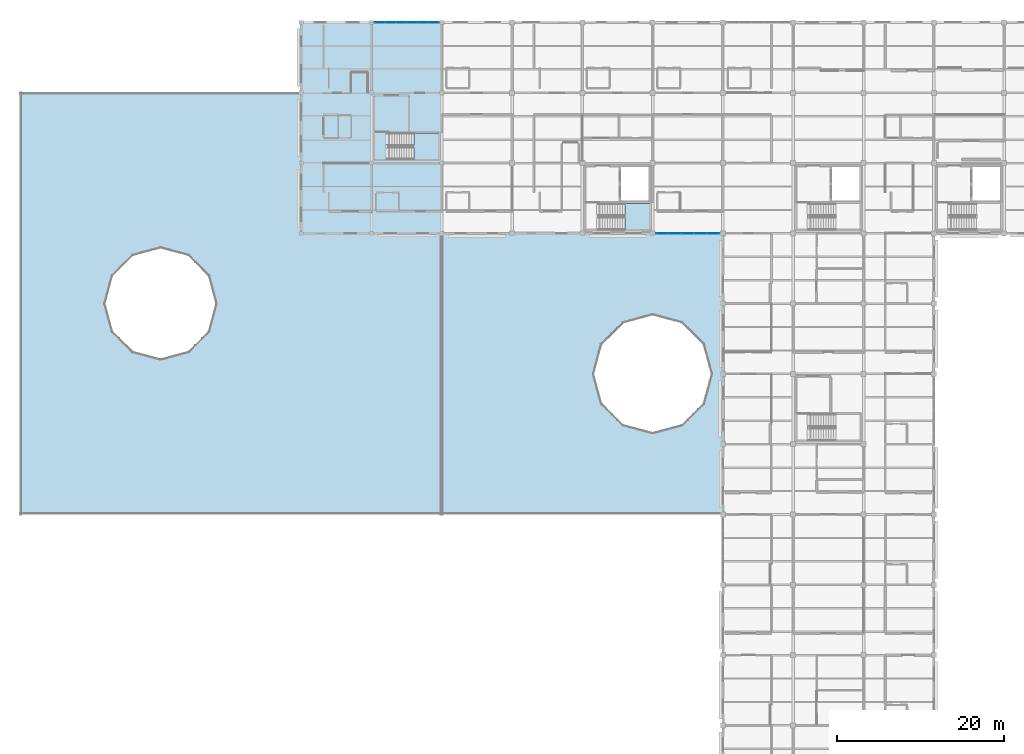
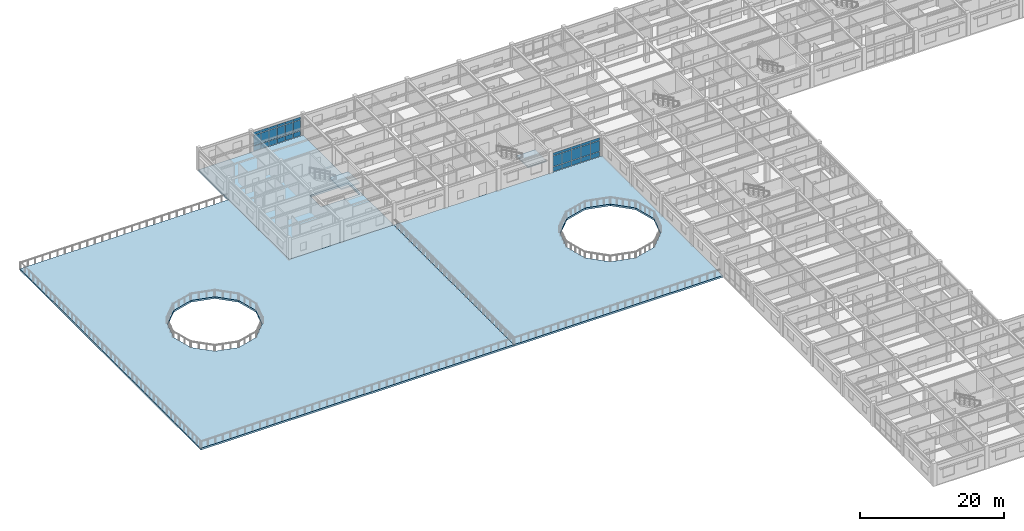
# One storey, part 46 of 86: 33 plates, 5 slabs, 4 elements without a shape of their own.
"""IFC4 building model written with IfcOpenShell, lengths in metres."""

from ifc_helpers import new_model, si_unit, direction, frame, origin, origin_2d, place, context, subcontext, project, spatial, polyline, rectangle, outline, extrude, material, layer, layer_set, type_object, element, aggregate, save


model = new_model("IFC4")

# Units and contexts
model_context = context("Model", 3, precision=1e-05, world=origin(), true_north=direction((0.0, 1.0)))
body_context = subcontext(model_context, "Body", "Model", "MODEL_VIEW")
ifc_project = project(units=[si_unit("LENGTHUNIT", "METRE"), si_unit("AREAUNIT", "SQUARE_METRE"), si_unit("VOLUMEUNIT", "CUBIC_METRE"), si_unit("PLANEANGLEUNIT", "RADIAN"), si_unit("MASSUNIT", "GRAM", prefix="KILO")], contexts=[model_context])

# Site, building, storey
site_placement = place(None, origin())
site = spatial("IfcSite", under=ifc_project, at=site_placement, CompositionType="ELEMENT")
building_placement = place(site_placement, origin())
building = spatial("IfcBuilding", under=site, at=building_placement, Name="Bramfleet General Hospital", CompositionType="ELEMENT")
storey_placement = place(building_placement, frame((0.0, 0.0, 18.60009765625)))
storey = spatial("IfcBuildingStorey", under=building, at=storey_placement, Name="L04", CompositionType="ELEMENT", Elevation=18.60009765625)

# Curtain wall, plates
ifc_material_1 = material(Name="Anodised aluminium and low-E triple glazing", Category="aluminium")
ifc_layer_1 = layer(ifc_material_1, 0.179931640625, Name="CWT-CW-07")
ifc_layer_set_1 = layer_set([ifc_layer_1], Name="Anodised aluminium and low-E triple glazing")
curtain_wall_type_1 = type_object("IfcCurtainWallType", Name="CWT-CW-07", PredefinedType="USERDEFINED", material=ifc_layer_set_1)
curtain_wall_1_placement = place(storey_placement, origin())
curtain_wall_1 = element("IfcCurtainWall", 1, at=curtain_wall_1_placement, inside=storey, type_object=curtain_wall_type_1, Name="L04 Curtain Wall 187", ObjectType="Unitised curtain wall", PredefinedType="USERDEFINED")
ifc_material_2 = material(Name="Low-E laminated safety glass", Category="glass")
ifc_layer_2 = layer(ifc_material_2, 0.035888671875, Name="CWP-GLZ-3")
ifc_layer_set_2 = layer_set([ifc_layer_2], Name="Low-E laminated safety glass")
plate_type = type_object("IfcPlateType", Name="CWP-GLZ-3", PredefinedType="CURTAIN_PANEL", material=ifc_layer_set_2)
plate_1_placement = place(storey_placement, frame((51.388427734375, 117.60009765625, 0.06494140625), z_axis=(0.0, 0.0, 1.0), x_axis=(1.0, 0.0, 0.0)))
plate_1 = element("IfcPlate", 2, at=plate_1_placement, type_object=plate_type, Name="CW-07 panel 1.1", PredefinedType="CURTAIN_PANEL", context=body_context, shape_type="SweptSolid", body=[
    extrude(rectangle(XDim=1.186767578125, YDim=0.035888671875, at=origin_2d()), origin(), (0.0, 0.0, 1.0), 0.802490234375),
])
plate_2_placement = place(storey_placement, frame((51.388427734375, 117.60009765625, 0.932373046875), z_axis=(0.0, 0.0, 1.0), x_axis=(1.0, 0.0, 0.0)))
plate_2 = element("IfcPlate", 3, at=plate_2_placement, type_object=plate_type, Name="CW-07 panel 1.2", PredefinedType="CURTAIN_PANEL", context=body_context, shape_type="SweptSolid", body=[
    extrude(rectangle(XDim=1.186767578125, YDim=0.035888671875, at=origin_2d()), origin(), (0.0, 0.0, 1.0), 1.794921875),
])
plate_3_placement = place(storey_placement, frame((51.388427734375, 117.60009765625, 2.79248046875), z_axis=(0.0, 0.0, 1.0), x_axis=(1.0, 0.0, 0.0)))
plate_3 = element("IfcPlate", 4, at=plate_3_placement, type_object=plate_type, Name="CW-07 panel 1.3", PredefinedType="CURTAIN_PANEL", context=body_context, shape_type="SweptSolid", body=[
    extrude(rectangle(XDim=1.186767578125, YDim=0.035888671875, at=origin_2d()), origin(), (0.0, 0.0, 1.0), 0.452392578125),
])
plate_4_placement = place(storey_placement, frame((52.66259765625, 117.60009765625, 0.06494140625), z_axis=(0.0, 0.0, 1.0), x_axis=(1.0, 0.0, 0.0)))
plate_4 = element("IfcPlate", 5, at=plate_4_placement, type_object=plate_type, Name="CW-07 panel 2.1", PredefinedType="CURTAIN_PANEL", context=body_context, shape_type="SweptSolid", body=[
    extrude(rectangle(XDim=1.2216796875, YDim=0.035888671875, at=origin_2d()), origin(), (0.0, 0.0, 1.0), 0.802490234375),
])
plate_5_placement = place(storey_placement, frame((52.66259765625, 117.60009765625, 0.932373046875), z_axis=(0.0, 0.0, 1.0), x_axis=(1.0, 0.0, 0.0)))
plate_5 = element("IfcPlate", 6, at=plate_5_placement, type_object=plate_type, Name="CW-07 panel 2.2", PredefinedType="CURTAIN_PANEL", context=body_context, shape_type="SweptSolid", body=[
    extrude(rectangle(XDim=1.2216796875, YDim=0.035888671875, at=origin_2d()), origin(), (0.0, 0.0, 1.0), 1.794921875),
])
plate_6_placement = place(storey_placement, frame((52.66259765625, 117.60009765625, 2.79248046875), z_axis=(0.0, 0.0, 1.0), x_axis=(1.0, 0.0, 0.0)))
plate_6 = element("IfcPlate", 7, at=plate_6_placement, type_object=plate_type, Name="CW-07 panel 2.3", PredefinedType="CURTAIN_PANEL", context=body_context, shape_type="SweptSolid", body=[
    extrude(rectangle(XDim=1.2216796875, YDim=0.035888671875, at=origin_2d()), origin(), (0.0, 0.0, 1.0), 0.452392578125),
])
plate_7_placement = place(storey_placement, frame((53.9541015625, 117.60009765625, 0.06494140625), z_axis=(0.0, 0.0, 1.0), x_axis=(1.0, 0.0, 0.0)))
plate_7 = element("IfcPlate", 8, at=plate_7_placement, type_object=plate_type, Name="CW-07 panel 3.1", PredefinedType="CURTAIN_PANEL", context=body_context, shape_type="SweptSolid", body=[
    extrude(rectangle(XDim=1.2216796875, YDim=0.035888671875, at=origin_2d()), origin(), (0.0, 0.0, 1.0), 0.802490234375),
])
plate_8_placement = place(storey_placement, frame((53.9541015625, 117.60009765625, 0.932373046875), z_axis=(0.0, 0.0, 1.0), x_axis=(1.0, 0.0, 0.0)))
plate_8 = element("IfcPlate", 9, at=plate_8_placement, type_object=plate_type, Name="CW-07 panel 3.2", PredefinedType="CURTAIN_PANEL", context=body_context, shape_type="SweptSolid", body=[
    extrude(rectangle(XDim=1.2216796875, YDim=0.035888671875, at=origin_2d()), origin(), (0.0, 0.0, 1.0), 1.794921875),
])
plate_9_placement = place(storey_placement, frame((53.9541015625, 117.60009765625, 2.79248046875), z_axis=(0.0, 0.0, 1.0), x_axis=(1.0, 0.0, 0.0)))
plate_9 = element("IfcPlate", 10, at=plate_9_placement, type_object=plate_type, Name="CW-07 panel 3.3", PredefinedType="CURTAIN_PANEL", context=body_context, shape_type="SweptSolid", body=[
    extrude(rectangle(XDim=1.2216796875, YDim=0.035888671875, at=origin_2d()), origin(), (0.0, 0.0, 1.0), 0.452392578125),
])
plate_10_placement = place(storey_placement, frame((55.245849609375, 117.60009765625, 0.06494140625), z_axis=(0.0, 0.0, 1.0), x_axis=(1.0, 0.0, 0.0)))
plate_10 = element("IfcPlate", 11, at=plate_10_placement, type_object=plate_type, Name="CW-07 panel 4.1", PredefinedType="CURTAIN_PANEL", context=body_context, shape_type="SweptSolid", body=[
    extrude(rectangle(XDim=1.2216796875, YDim=0.035888671875, at=origin_2d()), origin(), (0.0, 0.0, 1.0), 0.802490234375),
])
plate_11_placement = place(storey_placement, frame((55.245849609375, 117.60009765625, 0.932373046875), z_axis=(0.0, 0.0, 1.0), x_axis=(1.0, 0.0, 0.0)))
plate_11 = element("IfcPlate", 12, at=plate_11_placement, type_object=plate_type, Name="CW-07 panel 4.2", PredefinedType="CURTAIN_PANEL", context=body_context, shape_type="SweptSolid", body=[
    extrude(rectangle(XDim=1.2216796875, YDim=0.035888671875, at=origin_2d()), origin(), (0.0, 0.0, 1.0), 1.794921875),
])
plate_12_placement = place(storey_placement, frame((55.245849609375, 117.60009765625, 2.79248046875), z_axis=(0.0, 0.0, 1.0), x_axis=(1.0, 0.0, 0.0)))
plate_12 = element("IfcPlate", 13, at=plate_12_placement, type_object=plate_type, Name="CW-07 panel 4.3", PredefinedType="CURTAIN_PANEL", context=body_context, shape_type="SweptSolid", body=[
    extrude(rectangle(XDim=1.2216796875, YDim=0.035888671875, at=origin_2d()), origin(), (0.0, 0.0, 1.0), 0.452392578125),
])
plate_13_placement = place(storey_placement, frame((56.53759765625, 117.60009765625, 0.06494140625), z_axis=(0.0, 0.0, 1.0), x_axis=(1.0, 0.0, 0.0)))
plate_13 = element("IfcPlate", 14, at=plate_13_placement, type_object=plate_type, Name="CW-07 panel 5.1", PredefinedType="CURTAIN_PANEL", context=body_context, shape_type="SweptSolid", body=[
    extrude(rectangle(XDim=1.2216796875, YDim=0.035888671875, at=origin_2d()), origin(), (0.0, 0.0, 1.0), 0.802490234375),
])
plate_14_placement = place(storey_placement, frame((56.53759765625, 117.60009765625, 0.932373046875), z_axis=(0.0, 0.0, 1.0), x_axis=(1.0, 0.0, 0.0)))
plate_14 = element("IfcPlate", 15, at=plate_14_placement, type_object=plate_type, Name="CW-07 panel 5.2", PredefinedType="CURTAIN_PANEL", context=body_context, shape_type="SweptSolid", body=[
    extrude(rectangle(XDim=1.2216796875, YDim=0.035888671875, at=origin_2d()), origin(), (0.0, 0.0, 1.0), 1.794921875),
])
plate_15_placement = place(storey_placement, frame((56.53759765625, 117.60009765625, 2.79248046875), z_axis=(0.0, 0.0, 1.0), x_axis=(1.0, 0.0, 0.0)))
plate_15 = element("IfcPlate", 16, at=plate_15_placement, type_object=plate_type, Name="CW-07 panel 5.3", PredefinedType="CURTAIN_PANEL", context=body_context, shape_type="SweptSolid", body=[
    extrude(rectangle(XDim=1.2216796875, YDim=0.035888671875, at=origin_2d()), origin(), (0.0, 0.0, 1.0), 0.452392578125),
])
plate_16_placement = place(storey_placement, frame((57.811767578125, 117.60009765625, 0.06494140625), z_axis=(0.0, 0.0, 1.0), x_axis=(1.0, 0.0, 0.0)))
plate_16 = element("IfcPlate", 17, at=plate_16_placement, type_object=plate_type, Name="CW-07 panel 6.1", PredefinedType="CURTAIN_PANEL", context=body_context, shape_type="SweptSolid", body=[
    extrude(rectangle(XDim=1.186767578125, YDim=0.035888671875, at=origin_2d()), origin(), (0.0, 0.0, 1.0), 0.802490234375),
])
plate_17_placement = place(storey_placement, frame((57.811767578125, 117.60009765625, 0.932373046875), z_axis=(0.0, 0.0, 1.0), x_axis=(1.0, 0.0, 0.0)))
plate_17 = element("IfcPlate", 18, at=plate_17_placement, type_object=plate_type, Name="CW-07 panel 6.2", PredefinedType="CURTAIN_PANEL", context=body_context, shape_type="SweptSolid", body=[
    extrude(rectangle(XDim=1.186767578125, YDim=0.035888671875, at=origin_2d()), origin(), (0.0, 0.0, 1.0), 1.794921875),
])
plate_18_placement = place(storey_placement, frame((57.811767578125, 117.60009765625, 2.79248046875), z_axis=(0.0, 0.0, 1.0), x_axis=(1.0, 0.0, 0.0)))
plate_18 = element("IfcPlate", 19, at=plate_18_placement, type_object=plate_type, Name="CW-07 panel 6.3", PredefinedType="CURTAIN_PANEL", context=body_context, shape_type="SweptSolid", body=[
    extrude(rectangle(XDim=1.186767578125, YDim=0.035888671875, at=origin_2d()), origin(), (0.0, 0.0, 1.0), 0.452392578125),
])
aggregate(curtain_wall_1, [plate_1, plate_2, plate_3, plate_4, plate_5, plate_6, plate_7, plate_8, plate_9, plate_10, plate_11, plate_12, plate_13, plate_14, plate_15, plate_16, plate_17, plate_18])

ifc_layer_3 = layer(ifc_material_1, 0.179931640625, Name="CWT-CW-01")
ifc_layer_set_3 = layer_set([ifc_layer_3], Name="Anodised aluminium and low-E triple glazing")
curtain_wall_type_2 = type_object("IfcCurtainWallType", Name="CWT-CW-01", PredefinedType="USERDEFINED", material=ifc_layer_set_3)
curtain_wall_2_placement = place(storey_placement, origin())
curtain_wall_2 = element("IfcCurtainWall", 20, at=curtain_wall_2_placement, inside=storey, type_object=curtain_wall_type_2, Name="L04 Curtain Wall 199", ObjectType="Unitised curtain wall", PredefinedType="USERDEFINED")
plate_19_placement = place(storey_placement, frame((91.242431640625, 92.39990234375, 0.06494140625), z_axis=(0.0, 0.0, 1.0), x_axis=(-1.0, 0.0, 0.0)))
plate_19 = element("IfcPlate", 21, at=plate_19_placement, type_object=plate_type, Name="CW-01 panel 1.1", PredefinedType="CURTAIN_PANEL", context=body_context, shape_type="SweptSolid", body=[
    extrude(rectangle(XDim=1.425048828125, YDim=0.035888671875, at=origin_2d()), origin(), (0.0, 0.0, 1.0), 0.802490234375),
])
plate_20_placement = place(storey_placement, frame((91.242431640625, 92.39990234375, 0.932373046875), z_axis=(0.0, 0.0, 1.0), x_axis=(-1.0, 0.0, 0.0)))
plate_20 = element("IfcPlate", 22, at=plate_20_placement, type_object=plate_type, Name="CW-01 panel 1.2", PredefinedType="CURTAIN_PANEL", context=body_context, shape_type="SweptSolid", body=[
    extrude(rectangle(XDim=1.425048828125, YDim=0.035888671875, at=origin_2d()), origin(), (0.0, 0.0, 1.0), 1.794921875),
])
plate_21_placement = place(storey_placement, frame((91.242431640625, 92.39990234375, 2.79248046875), z_axis=(0.0, 0.0, 1.0), x_axis=(-1.0, 0.0, 0.0)))
plate_21 = element("IfcPlate", 23, at=plate_21_placement, type_object=plate_type, Name="CW-01 panel 1.3", PredefinedType="CURTAIN_PANEL", context=body_context, shape_type="SweptSolid", body=[
    extrude(rectangle(XDim=1.425048828125, YDim=0.035888671875, at=origin_2d()), origin(), (0.0, 0.0, 1.0), 0.452392578125),
])
plate_22_placement = place(storey_placement, frame((89.72998046875, 92.39990234375, 0.06494140625), z_axis=(0.0, 0.0, 1.0), x_axis=(-1.0, 0.0, 0.0)))
plate_22 = element("IfcPlate", 24, at=plate_22_placement, type_object=plate_type, Name="CW-01 panel 2.1", PredefinedType="CURTAIN_PANEL", context=body_context, shape_type="SweptSolid", body=[
    extrude(rectangle(XDim=1.4599609375, YDim=0.035888671875, at=origin_2d()), origin(), (0.0, 0.0, 1.0), 0.802490234375),
])
plate_23_placement = place(storey_placement, frame((89.72998046875, 92.39990234375, 0.932373046875), z_axis=(0.0, 0.0, 1.0), x_axis=(-1.0, 0.0, 0.0)))
plate_23 = element("IfcPlate", 25, at=plate_23_placement, type_object=plate_type, Name="CW-01 panel 2.2", PredefinedType="CURTAIN_PANEL", context=body_context, shape_type="SweptSolid", body=[
    extrude(rectangle(XDim=1.4599609375, YDim=0.035888671875, at=origin_2d()), origin(), (0.0, 0.0, 1.0), 1.794921875),
])
plate_24_placement = place(storey_placement, frame((89.72998046875, 92.39990234375, 2.79248046875), z_axis=(0.0, 0.0, 1.0), x_axis=(-1.0, 0.0, 0.0)))
plate_24 = element("IfcPlate", 26, at=plate_24_placement, type_object=plate_type, Name="CW-01 panel 2.3", PredefinedType="CURTAIN_PANEL", context=body_context, shape_type="SweptSolid", body=[
    extrude(rectangle(XDim=1.4599609375, YDim=0.035888671875, at=origin_2d()), origin(), (0.0, 0.0, 1.0), 0.452392578125),
])
plate_25_placement = place(storey_placement, frame((88.199951171875, 92.39990234375, 0.06494140625), z_axis=(0.0, 0.0, 1.0), x_axis=(-1.0, 0.0, 0.0)))
plate_25 = element("IfcPlate", 27, at=plate_25_placement, type_object=plate_type, Name="CW-01 panel 3.1", PredefinedType="CURTAIN_PANEL", context=body_context, shape_type="SweptSolid", body=[
    extrude(rectangle(XDim=1.4599609375, YDim=0.035888671875, at=origin_2d()), origin(), (0.0, 0.0, 1.0), 0.802490234375),
])
plate_26_placement = place(storey_placement, frame((88.199951171875, 92.39990234375, 0.932373046875), z_axis=(0.0, 0.0, 1.0), x_axis=(-1.0, 0.0, 0.0)))
plate_26 = element("IfcPlate", 28, at=plate_26_placement, type_object=plate_type, Name="CW-01 panel 3.2", PredefinedType="CURTAIN_PANEL", context=body_context, shape_type="SweptSolid", body=[
    extrude(rectangle(XDim=1.4599609375, YDim=0.035888671875, at=origin_2d()), origin(), (0.0, 0.0, 1.0), 1.794921875),
])
plate_27_placement = place(storey_placement, frame((88.199951171875, 92.39990234375, 2.79248046875), z_axis=(0.0, 0.0, 1.0), x_axis=(-1.0, 0.0, 0.0)))
plate_27 = element("IfcPlate", 29, at=plate_27_placement, type_object=plate_type, Name="CW-01 panel 3.3", PredefinedType="CURTAIN_PANEL", context=body_context, shape_type="SweptSolid", body=[
    extrude(rectangle(XDim=1.4599609375, YDim=0.035888671875, at=origin_2d()), origin(), (0.0, 0.0, 1.0), 0.452392578125),
])
plate_28_placement = place(storey_placement, frame((86.669921875, 92.39990234375, 0.06494140625), z_axis=(0.0, 0.0, 1.0), x_axis=(-1.0, 0.0, 0.0)))
plate_28 = element("IfcPlate", 30, at=plate_28_placement, type_object=plate_type, Name="CW-01 panel 4.1", PredefinedType="CURTAIN_PANEL", context=body_context, shape_type="SweptSolid", body=[
    extrude(rectangle(XDim=1.4599609375, YDim=0.035888671875, at=origin_2d()), origin(), (0.0, 0.0, 1.0), 0.802490234375),
])
plate_29_placement = place(storey_placement, frame((86.669921875, 92.39990234375, 0.932373046875), z_axis=(0.0, 0.0, 1.0), x_axis=(-1.0, 0.0, 0.0)))
plate_29 = element("IfcPlate", 31, at=plate_29_placement, type_object=plate_type, Name="CW-01 panel 4.2", PredefinedType="CURTAIN_PANEL", context=body_context, shape_type="SweptSolid", body=[
    extrude(rectangle(XDim=1.4599609375, YDim=0.035888671875, at=origin_2d()), origin(), (0.0, 0.0, 1.0), 1.794921875),
])
plate_30_placement = place(storey_placement, frame((86.669921875, 92.39990234375, 2.79248046875), z_axis=(0.0, 0.0, 1.0), x_axis=(-1.0, 0.0, 0.0)))
plate_30 = element("IfcPlate", 32, at=plate_30_placement, type_object=plate_type, Name="CW-01 panel 4.3", PredefinedType="CURTAIN_PANEL", context=body_context, shape_type="SweptSolid", body=[
    extrude(rectangle(XDim=1.4599609375, YDim=0.035888671875, at=origin_2d()), origin(), (0.0, 0.0, 1.0), 0.452392578125),
])
plate_31_placement = place(storey_placement, frame((85.157470703125, 92.39990234375, 0.06494140625), z_axis=(0.0, 0.0, 1.0), x_axis=(-1.0, 0.0, 0.0)))
plate_31 = element("IfcPlate", 33, at=plate_31_placement, type_object=plate_type, Name="CW-01 panel 5.1", PredefinedType="CURTAIN_PANEL", context=body_context, shape_type="SweptSolid", body=[
    extrude(rectangle(XDim=1.425048828125, YDim=0.035888671875, at=origin_2d()), origin(), (0.0, 0.0, 1.0), 0.802490234375),
])
plate_32_placement = place(storey_placement, frame((85.157470703125, 92.39990234375, 0.932373046875), z_axis=(0.0, 0.0, 1.0), x_axis=(-1.0, 0.0, 0.0)))
plate_32 = element("IfcPlate", 34, at=plate_32_placement, type_object=plate_type, Name="CW-01 panel 5.2", PredefinedType="CURTAIN_PANEL", context=body_context, shape_type="SweptSolid", body=[
    extrude(rectangle(XDim=1.425048828125, YDim=0.035888671875, at=origin_2d()), origin(), (0.0, 0.0, 1.0), 1.794921875),
])
plate_33_placement = place(storey_placement, frame((85.157470703125, 92.39990234375, 2.79248046875), z_axis=(0.0, 0.0, 1.0), x_axis=(-1.0, 0.0, 0.0)))
plate_33 = element("IfcPlate", 35, at=plate_33_placement, type_object=plate_type, Name="CW-01 panel 5.3", PredefinedType="CURTAIN_PANEL", context=body_context, shape_type="SweptSolid", body=[
    extrude(rectangle(XDim=1.425048828125, YDim=0.035888671875, at=origin_2d()), origin(), (0.0, 0.0, 1.0), 0.452392578125),
])
aggregate(curtain_wall_2, [plate_19, plate_20, plate_21, plate_22, plate_23, plate_24, plate_25, plate_26, plate_27, plate_28, plate_29, plate_30, plate_31, plate_32, plate_33])

# Slab
ifc_material_3 = material(Name="Concrete C35/45", Category="concrete")
ifc_layer_4 = layer(ifc_material_3, 0.300048828125, Name="SL-FLR-300")
ifc_layer_set_4 = layer_set([ifc_layer_4], Name="Concrete C35/45")
slab_type_1 = type_object("IfcSlabType", Name="SL-FLR-300", PredefinedType="FLOOR", material=ifc_layer_set_4)
slab_1_placement = place(storey_placement, frame((0.0, 0.0, -0.300048828125)))
element("IfcSlab", 36, at=slab_1_placement, inside=storey, type_object=slab_type_1, Name="L04 Structural Floor Slab (WEST)", PredefinedType="FLOOR", context=body_context, shape_type="SweptSolid", body=[
    extrude(outline(polyline([(50.39990234375, 92.39990234375), (42.0, 92.39990234375), (42.0, 100.800048828125), (42.0, 109.199951171875), (42.0, 117.60009765625), (50.39990234375, 117.60009765625), (58.800048828125, 117.60009765625), (58.800048828125, 92.39990234375), (50.39990234375, 92.39990234375)]), holes=[polyline([(52.239990234375, 101.219970703125), (58.4599609375, 101.219970703125), (58.4599609375, 104.3798828125), (52.239990234375, 104.3798828125), (52.239990234375, 101.219970703125)])]), origin(), (0.0, 0.0, 1.0), 0.300048828125),
])

# Stair, slab
stair_type = type_object("IfcStairType", Name="STR-T4", PredefinedType="HALF_TURN_STAIR", material=ifc_material_3)
stair_1_placement = place(storey_placement, origin())
stair_1 = element("IfcStair", 37, at=stair_1_placement, inside=storey, type_object=stair_type, Name="L04 Core C5 (North-West Ward Wing) Protected Escape Stair", PredefinedType="HALF_TURN_STAIR")
ifc_layer_5 = layer(ifc_material_3, 0.199951171875, Name="SL-LND-200")
ifc_layer_set_5 = layer_set([ifc_layer_5], Name="Concrete C35/45")
slab_type_2 = type_object("IfcSlabType", Name="SL-LND-200", PredefinedType="LANDING", material=ifc_layer_set_5)
slab_2_placement = place(storey_placement, frame((0.0, 0.0, 1.75)))
slab_2 = element("IfcSlab", 38, at=slab_2_placement, type_object=slab_type_2, Name="ST-C5 landing 1", PredefinedType="LANDING", context=body_context, shape_type="SweptSolid", body=[
    extrude(outline(polyline([(80.68505859375, 92.820068359375), (83.659912109375, 92.820068359375), (83.659912109375, 95.97998046875), (80.68505859375, 95.97998046875), (80.68505859375, 92.820068359375)])), origin(), (0.0, 0.0, 1.0), 0.199951171875),
])
aggregate(stair_1, [slab_2])

stair_2_placement = place(storey_placement, origin())
stair_2 = element("IfcStair", 39, at=stair_2_placement, inside=storey, type_object=stair_type, Name="L04 Core C14 (West Ward Wing Escape) Protected Escape Stair", PredefinedType="HALF_TURN_STAIR")
slab_3_placement = place(storey_placement, frame((0.0, 0.0, 1.75)))
slab_3 = element("IfcSlab", 40, at=slab_3_placement, type_object=slab_type_2, Name="ST-C14 landing 1", PredefinedType="LANDING", context=body_context, shape_type="SweptSolid", body=[
    extrude(outline(polyline([(55.485107421875, 101.219970703125), (58.4599609375, 101.219970703125), (58.4599609375, 104.3798828125), (55.485107421875, 104.3798828125), (55.485107421875, 101.219970703125)])), origin(), (0.0, 0.0, 1.0), 0.199951171875),
])
aggregate(stair_2, [slab_3])

# Slabs
ifc_layer_6 = layer(ifc_material_3, 0.31005859375, Name="SL-TER-310")
ifc_layer_set_6 = layer_set([ifc_layer_6], Name="Concrete C35/45")
slab_type_3 = type_object("IfcSlabType", Name="SL-TER-310", PredefinedType="FLOOR", material=ifc_layer_set_6)
slab_4_placement = place(storey_placement, frame((0.0, 0.0, -0.31005859375)))
element("IfcSlab", 41, at=slab_4_placement, inside=storey, type_object=slab_type_3, Name="L04 West Surgical Roof Garden", PredefinedType="FLOOR", context=body_context, shape_type="SweptSolid", body=[
    extrude(outline(polyline([(8.39990234375, 58.800048828125), (8.39990234375, 109.199951171875), (42.0, 109.199951171875), (42.0, 100.800048828125), (42.0, 92.39990234375), (50.39990234375, 92.39990234375), (58.800048828125, 92.39990234375), (58.800048828125, 58.800048828125), (8.39990234375, 58.800048828125)]), holes=[polyline([(19.484130859375, 80.699951171875), (21.89990234375, 78.2841796875), (25.199951171875, 77.39990234375), (28.5, 78.2841796875), (30.915771484375, 80.699951171875), (31.800048828125, 84.0), (30.915771484375, 87.300048828125), (28.5, 89.7158203125), (25.199951171875, 90.60009765625), (21.89990234375, 89.7158203125), (19.484130859375, 87.300048828125), (18.60009765625, 84.0), (19.484130859375, 80.699951171875)])]), origin(), (0.0, 0.0, 1.0), 0.31005859375),
])
slab_5_placement = place(storey_placement, frame((0.0, 0.0, -0.31005859375)))
element("IfcSlab", 42, at=slab_5_placement, inside=storey, type_object=slab_type_3, Name="L04 Central Diagnostic Roof Garden", PredefinedType="FLOOR", context=body_context, shape_type="SweptSolid", body=[
    extrude(outline(polyline([(58.800048828125, 58.800048828125), (58.800048828125, 92.39990234375), (67.199951171875, 92.39990234375), (75.60009765625, 92.39990234375), (84.0, 92.39990234375), (92.39990234375, 92.39990234375), (92.39990234375, 84.0), (92.39990234375, 75.60009765625), (92.39990234375, 67.199951171875), (92.39990234375, 58.800048828125), (58.800048828125, 58.800048828125)]), holes=[polyline([(77.937744140625, 72.10009765625), (80.5, 69.537841796875), (84.0, 68.60009765625), (87.5, 69.537841796875), (90.062255859375, 72.10009765625), (91.0, 75.60009765625), (90.062255859375, 79.10009765625), (87.5, 81.662109375), (84.0, 82.60009765625), (80.5, 81.662109375), (77.937744140625, 79.10009765625), (77.0, 75.60009765625), (77.937744140625, 72.10009765625)])]), origin(), (0.0, 0.0, 1.0), 0.31005859375),
])

save(model, "model.ifc")
